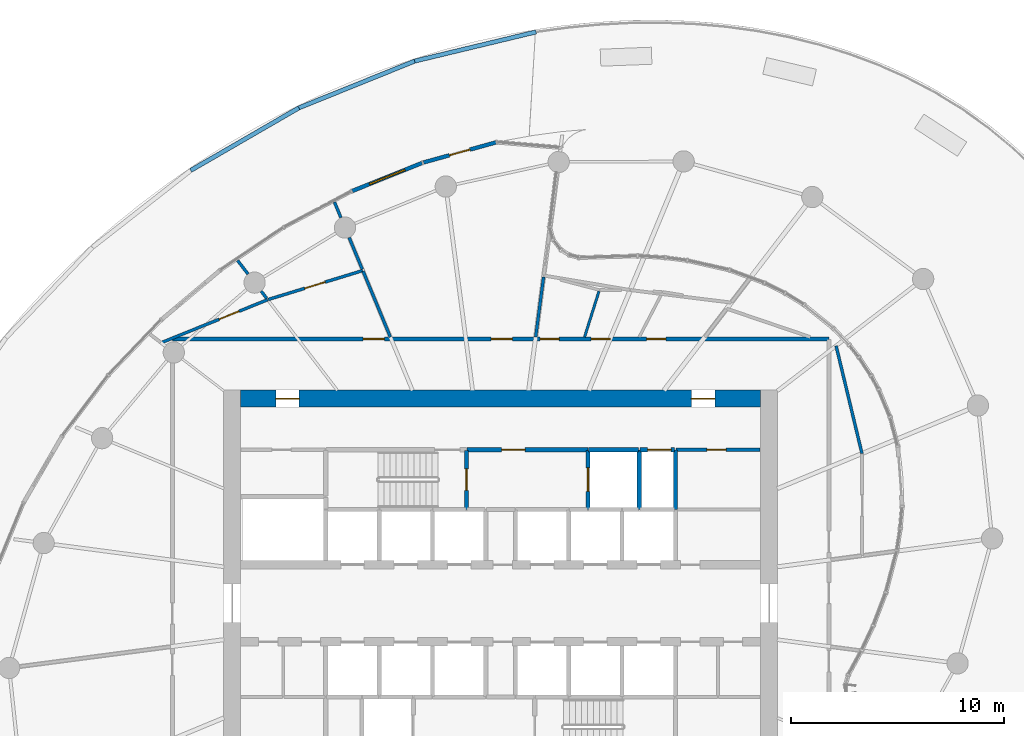
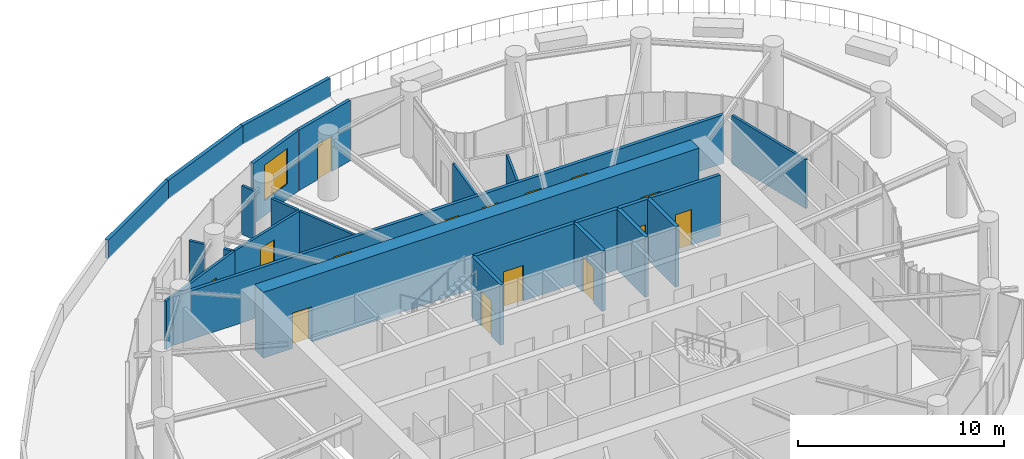
# One storey, part 16 of 21: 25 walls, 15 doors, 1 window, 16 openings.
"""IFC4 building model written with IfcOpenShell, lengths in metres."""

from ifc_helpers import new_model, si_unit, direction, frame, frame_2d, origin, place, context, subcontext, project, spatial, rectangle, extrude, source, transform, mapped, material, layer, layer_set, type_object, element, fill, save


model = new_model("IFC4")

# Units and contexts
model_context = context("Model", 3, precision=1e-05, world=origin(), true_north=direction((0.0, 1.0)))
body_context = subcontext(model_context, "Body", "Model", "MODEL_VIEW")
ifc_project = project(units=[si_unit("LENGTHUNIT", "METRE"), si_unit("AREAUNIT", "SQUARE_METRE"), si_unit("VOLUMEUNIT", "CUBIC_METRE"), si_unit("PLANEANGLEUNIT", "RADIAN"), si_unit("MASSUNIT", "GRAM", prefix="KILO")], contexts=[model_context])

# Site, building, storey
site_placement = place(None, origin())
site = spatial("IfcSite", under=ifc_project, at=site_placement, CompositionType="ELEMENT")
building_placement = place(site_placement, origin())
building = spatial("IfcBuilding", under=site, at=building_placement, Name="Spindrift Exchange Tower", CompositionType="ELEMENT")
storey_placement = place(building_placement, frame((0.0, 0.0, 133.10009765625)))
storey = spatial("IfcBuildingStorey", under=building, at=storey_placement, Name="L31", CompositionType="ELEMENT", Elevation=133.10009765625)

# Walls
ifc_material_1 = material(Name="Concrete 40 MPa", Category="concrete")
ifc_layer_1 = layer(ifc_material_1, 0.199951171875)
ifc_layer_set_1 = layer_set([ifc_layer_1], Name="LEDGE PARAPET 1100")
wall_type_1 = type_object("IfcWallType", Name="LEDGE PARAPET 1100", PredefinedType="PARAPET", material=ifc_layer_set_1)
for number, where, z_axis, x_axis, name in (
    (1, (37.459716796875, 68.30859375, 0.0), (0.0, 0.0, 1.0), (0.865566961428, 0.500793206109, 0.0), "L31 Ledge Parapet 19"),
    (2, (42.5322265625, 71.243408203125, 0.0), (0.0, 0.0, 1.0), (0.927218747026, 0.374520219965, 0.0), "L31 Ledge Parapet 20"),
):
    element("IfcWall", number, at=place(storey_placement, frame(where, z_axis=z_axis, x_axis=x_axis)), inside=storey, type_object=wall_type_1, Name=name, PredefinedType="PARAPET", context=body_context, shape_type="SweptSolid", body=[
        extrude(rectangle(XDim=5.8603515625, YDim=0.199951171875, at=frame_2d((2.93017578125, 0.0))), origin(), (0.0, 0.0, 1.0), 1.099853515625),
    ])
wall_1_placement = place(storey_placement, frame((47.966064453125, 73.438232421875, 0.0), z_axis=(0.0, 0.0, 1.0), x_axis=(0.97229645642, 0.233751151511, 0.0)))
element("IfcWall", 3, at=wall_1_placement, inside=storey, type_object=wall_type_1, Name="L31 Ledge Parapet 21", PredefinedType="PARAPET", context=body_context, shape_type="SweptSolid", body=[
    extrude(rectangle(XDim=5.859375, YDim=0.199951171875, at=frame_2d((2.9296875, 0.0))), origin(), (0.0, 0.0, 1.0), 1.099853515625),
])

# Wall, openings, doors
ifc_material_2 = material(Name="Concrete 65 MPa", Category="concrete")
ifc_layer_2 = layer(ifc_material_2, 0.800048828125)
ifc_layer_set_2 = layer_set([ifc_layer_2], Name="RC Core Wall 800 Concrete 65 MPa")
wall_type_2 = type_object("IfcWallType", Name="RC Core Wall 800 Concrete 65 MPa", PredefinedType="SHEAR", material=ifc_layer_set_2)
wall_2_placement = place(storey_placement, frame((64.199951171875, 57.60009765625, 0.0), z_axis=(0.0, 0.0, 1.0), x_axis=(-1.0, 0.0, 0.0)))
wall_2 = element("IfcWall", 4, at=wall_2_placement, inside=storey, type_object=wall_type_2, Name="Core wall N L31", PredefinedType="SHEAR", context=body_context, shape_type="SweptSolid", body=[
    extrude(rectangle(XDim=24.39990234375, YDim=0.800048828125, at=frame_2d((12.199951171875, 0.0))), origin(), (0.0, 0.0, 1.0), 3.89990234375),
])
opening_1_placement = place(wall_2_placement, frame((21.64990234375, 0.0, 0.0)))
opening_1 = element("IfcOpeningElement", 5, at=opening_1_placement, cuts=wall_2, Name="Opening L31-D25", PredefinedType="OPENING", context=body_context, shape_type="SweptSolid", body=[
    extrude(rectangle(XDim=1.10009765625, YDim=2.10009765625, at=frame_2d((0.550048828125, 1.050048828125))), frame((0.0, 0.409912109375, 0.0), z_axis=(0.0, -1.0, 0.0), x_axis=(1.0, 0.0, 0.0)), (0.0, 0.0, 1.0), 0.820068359375),
])
opening_2_placement = place(wall_2_placement, frame((2.14990234375, 0.0, 0.0)))
opening_2 = element("IfcOpeningElement", 6, at=opening_2_placement, cuts=wall_2, Name="Opening L31-D26", PredefinedType="OPENING", context=body_context, shape_type="SweptSolid", body=[
    extrude(rectangle(XDim=1.10009765625, YDim=2.10009765625, at=frame_2d((0.550048828125, 1.050048828125))), frame((0.0, 0.409912109375, 0.0), z_axis=(0.0, -1.0, 0.0), x_axis=(1.0, 0.0, 0.0)), (0.0, 0.0, 1.0), 0.820068359375),
])
ifc_material_3 = material(Name="Steel fire door", Category="steel")
door_type_1 = type_object("IfcDoorType", Name="DR-STAIR-1100", OperationType="NOTDEFINED", PredefinedType="DOOR", material=ifc_material_3)
shared_shape_1 = source(origin(), body_context, "Body", "SweptSolid", [
    extrude(rectangle(XDim=1.10009765625, YDim=2.10009765625, at=frame_2d((0.550048828125, 1.050048828125))), frame((0.0, 0.02490234375, 0.0), z_axis=(0.0, -1.0, 0.0), x_axis=(1.0, 0.0, 0.0)), (0.0, 0.0, 1.0), 0.050048828125),
])
door_1_placement = place(opening_1_placement, origin())
door_1 = element("IfcDoor", 7, at=door_1_placement, inside=storey, type_object=door_type_1, Name="L31 Stair door 25", OperationType="SINGLE_SWING_RIGHT", OverallHeight=2.10009765625, OverallWidth=1.10009765625, PredefinedType="DOOR", context=body_context, shape_type="MappedRepresentation", body=[
    mapped(shared_shape_1, transform((0.0, 0.0, 0.0), scale=1.0)),
])
fill(opening_1, door_1)
door_2_placement = place(opening_2_placement, origin())
door_2 = element("IfcDoor", 8, at=door_2_placement, inside=storey, type_object=door_type_1, Name="L31 Stair door 26", OperationType="SINGLE_SWING_LEFT", OverallHeight=2.10009765625, OverallWidth=1.10009765625, PredefinedType="DOOR", context=body_context, shape_type="MappedRepresentation", body=[
    mapped(shared_shape_1, transform((0.0, 0.0, 0.0), scale=1.0)),
])
fill(opening_2, door_2)

# Wall, opening, door
ifc_material_4 = material(Name="Bronze anodised aluminium frame with fritted laminated glass spandrel", Category="aluminium")
ifc_layer_3 = layer(ifc_material_4, 0.179931640625)
ifc_layer_set_3 = layer_set([ifc_layer_3], Name="UNITISED FRAME WALL")
wall_type_3 = type_object("IfcWallType", Name="UNITISED FRAME WALL", PredefinedType="STANDARD", material=ifc_layer_set_3)
wall_3_placement = place(storey_placement, frame((51.78125, 69.62451171875, 0.0), z_axis=(0.0, 0.0, 1.0), x_axis=(-0.963586234306, -0.267397773094, 0.0)))
wall_3 = element("IfcWall", 9, at=wall_3_placement, inside=storey, type_object=wall_type_3, Name="L31 Frame Wall 1", PredefinedType="STANDARD", context=body_context, shape_type="SweptSolid", body=[
    extrude(rectangle(XDim=3.53076171875, YDim=0.179931640625, at=frame_2d((1.765380859375, 0.0))), origin(), (0.0, 0.0, 1.0), 3.579833984375),
])
opening_3_placement = place(wall_3_placement, frame((1.265380859375, 0.0, 0.0)))
opening_3 = element("IfcOpeningElement", 10, at=opening_3_placement, cuts=wall_3, Name="Opening ED31-2", PredefinedType="OPENING", context=body_context, shape_type="SweptSolid", body=[
    extrude(rectangle(XDim=1.0, YDim=2.10009765625, at=frame_2d((0.5, 1.050048828125))), frame((0.0, 0.099853515625, 0.0), z_axis=(0.0, -1.0, 0.0), x_axis=(1.0, 0.0, 0.0)), (0.0, 0.0, 1.0), 0.199951171875),
])
ifc_material_5 = material(Name="Galvanised steel door leaf, polyester powder coat", Category="steel")
door_type_2 = type_object("IfcDoorType", Name="MAINTENANCE ACCESS DOOR 1000X2100", OperationType="SINGLE_SWING_LEFT", PredefinedType="DOOR", material=ifc_material_5)
shared_shape_2 = source(origin(), body_context, "Body", "SweptSolid", [
    extrude(rectangle(XDim=1.0, YDim=2.10009765625, at=frame_2d((0.5, 1.050048828125))), frame((0.0, 0.02490234375, 0.0), z_axis=(0.0, -1.0, 0.0), x_axis=(1.0, 0.0, 0.0)), (0.0, 0.0, 1.0), 0.050048828125),
])
door_3_placement = place(opening_3_placement, origin())
door_3 = element("IfcDoor", 11, at=door_3_placement, inside=storey, type_object=door_type_2, Name="L31 Maintenance Access Door ED31-2", OperationType="SINGLE_SWING_LEFT", OverallHeight=2.10009765625, OverallWidth=1.0, PredefinedType="DOOR", context=body_context, shape_type="MappedRepresentation", body=[
    mapped(shared_shape_2, transform((0.0, 0.0, 0.0), scale=1.0)),
])
fill(opening_3, door_3)

# Wall, opening, window
wall_4_placement = place(storey_placement, frame((48.31298828125, 68.657958984375, 0.0), z_axis=(0.0, 0.0, 1.0), x_axis=(-0.927951202172, -0.372701712348, 0.0)))
wall_4 = element("IfcWall", 12, at=wall_4_placement, inside=storey, type_object=wall_type_3, Name="L31 Frame Wall 2", PredefinedType="STANDARD", context=body_context, shape_type="SweptSolid", body=[
    extrude(rectangle(XDim=3.53076171875, YDim=0.179931640625, at=frame_2d((1.765380859375, 0.0))), origin(), (0.0, 0.0, 1.0), 3.579833984375),
])
opening_4_placement = place(wall_4_placement, frame((0.865478515625, 0.0, 0.89990234375)))
opening_4 = element("IfcOpeningElement", 13, at=opening_4_placement, cuts=wall_4, Name="Opening WV31-01", PredefinedType="OPENING", context=body_context, shape_type="SweptSolid", body=[
    extrude(rectangle(XDim=1.800048828125, YDim=2.10009765625, at=frame_2d((0.89990234375, 1.050048828125))), frame((0.0, 0.099853515625, 0.0), z_axis=(0.0, -1.0, 0.0), x_axis=(1.0, 0.0, 0.0)), (0.0, 0.0, 1.0), 0.199951171875),
])
ifc_material_6 = material(Name="Clear laminated low-iron glass in bronze frame", Category="glass")
window_type = type_object("IfcWindowType", Name="OPERABLE CLEAR VENT 1800X2100", PartitioningType="SINGLE_PANEL", PredefinedType="WINDOW", material=ifc_material_6)
shared_shape_3 = source(origin(), body_context, "Body", "SweptSolid", [
    extrude(rectangle(XDim=1.800048828125, YDim=2.10009765625, at=frame_2d((0.89990234375, 1.050048828125))), frame((0.0, 0.030029296875, 0.0), z_axis=(0.0, -1.0, 0.0), x_axis=(1.0, 0.0, 0.0)), (0.0, 0.0, 1.0), 0.06005859375),
])
window_placement = place(opening_4_placement, origin())
window = element("IfcWindow", 14, at=window_placement, inside=storey, type_object=window_type, Name="L31 Operable Vent WV31-01", OverallHeight=2.10009765625, OverallWidth=1.800048828125, PartitioningType="SINGLE_PANEL", PredefinedType="WINDOW", context=body_context, shape_type="MappedRepresentation", body=[
    mapped(shared_shape_3, transform((0.0, 0.0, 0.0), scale=1.0)),
])
fill(opening_4, window)

# Wall, openings, doors
ifc_material_7 = material(Name="Fire-rated plasterboard partition", Category="gypsum")
ifc_layer_4 = layer(ifc_material_7, 0.179931640625)
ifc_layer_set_4 = layer_set([ifc_layer_4], Name="W-CORR-180")
wall_type_4 = type_object("IfcWallType", Name="W-CORR-180", PredefinedType="PARTITIONING", material=ifc_layer_set_4)
wall_5_placement = place(storey_placement, frame((36.60009765625, 60.39990234375, 0.0), z_axis=(0.0, 0.0, 1.0), x_axis=(1.0, 0.0, 0.0)))
wall_5 = element("IfcWall", 15, at=wall_5_placement, inside=storey, type_object=wall_type_4, Name="L31 Partition wall 58", PredefinedType="PARTITIONING", context=body_context, shape_type="SweptSolid", body=[
    extrude(rectangle(XDim=30.7998046875, YDim=0.179931640625, at=frame_2d((15.39990234375, 0.0))), origin(), (0.0, 0.0, 1.0), 2.8798828125),
])
opening_5_placement = place(wall_5_placement, frame((22.25, 0.0, 0.0)))
opening_5 = element("IfcOpeningElement", 16, at=opening_5_placement, cuts=wall_5, Name="Opening L31-D31", PredefinedType="OPENING", context=body_context, shape_type="SweptSolid", body=[
    extrude(rectangle(XDim=0.89990234375, YDim=2.10009765625, at=frame_2d((0.449951171875, 1.050048828125))), frame((0.0, 0.099853515625, 0.0), z_axis=(0.0, -1.0, 0.0), x_axis=(1.0, 0.0, 0.0)), (0.0, 0.0, 1.0), 0.199951171875),
])
opening_6_placement = place(wall_5_placement, frame((19.64990234375, 0.0, 0.0)))
opening_6 = element("IfcOpeningElement", 17, at=opening_6_placement, cuts=wall_5, Name="Opening L31-D32", PredefinedType="OPENING", context=body_context, shape_type="SweptSolid", body=[
    extrude(rectangle(XDim=0.89990234375, YDim=2.10009765625, at=frame_2d((0.449951171875, 1.050048828125))), frame((0.0, 0.099853515625, 0.0), z_axis=(0.0, -1.0, 0.0), x_axis=(1.0, 0.0, 0.0)), (0.0, 0.0, 1.0), 0.199951171875),
])
opening_7_placement = place(wall_5_placement, frame((17.25, 0.0, 0.0)))
opening_7 = element("IfcOpeningElement", 18, at=opening_7_placement, cuts=wall_5, Name="Opening L31-D33", PredefinedType="OPENING", context=body_context, shape_type="SweptSolid", body=[
    extrude(rectangle(XDim=0.89990234375, YDim=2.10009765625, at=frame_2d((0.449951171875, 1.050048828125))), frame((0.0, 0.099853515625, 0.0), z_axis=(0.0, -1.0, 0.0), x_axis=(1.0, 0.0, 0.0)), (0.0, 0.0, 1.0), 0.199951171875),
])
opening_8_placement = place(wall_5_placement, frame((14.949951171875, 0.0, 0.0)))
opening_8 = element("IfcOpeningElement", 19, at=opening_8_placement, cuts=wall_5, Name="Opening L31-D34", PredefinedType="OPENING", context=body_context, shape_type="SweptSolid", body=[
    extrude(rectangle(XDim=1.0, YDim=2.10009765625, at=frame_2d((0.5, 1.050048828125))), frame((0.0, 0.099853515625, 0.0), z_axis=(0.0, -1.0, 0.0), x_axis=(1.0, 0.0, 0.0)), (0.0, 0.0, 1.0), 0.199951171875),
])
opening_9_placement = place(wall_5_placement, frame((8.949951171875, 0.0, 0.0)))
opening_9 = element("IfcOpeningElement", 20, at=opening_9_placement, cuts=wall_5, Name="Opening L31-D36", PredefinedType="OPENING", context=body_context, shape_type="SweptSolid", body=[
    extrude(rectangle(XDim=1.0, YDim=2.10009765625, at=frame_2d((0.5, 1.050048828125))), frame((0.0, 0.099853515625, 0.0), z_axis=(0.0, -1.0, 0.0), x_axis=(1.0, 0.0, 0.0)), (0.0, 0.0, 1.0), 0.199951171875),
])
ifc_material_8 = material(Name="Timber-core fire door", Category="wood")
door_type_3 = type_object("IfcDoorType", Name="DR-ROOM-1000", OperationType="NOTDEFINED", PredefinedType="DOOR", material=ifc_material_8)
shared_shape_4 = source(origin(), body_context, "Body", "SweptSolid", [
    extrude(rectangle(XDim=1.0, YDim=2.10009765625, at=frame_2d((0.5, 1.050048828125))), frame((0.0, 0.02490234375, 0.0), z_axis=(0.0, -1.0, 0.0), x_axis=(1.0, 0.0, 0.0)), (0.0, 0.0, 1.0), 0.050048828125),
])
door_4_placement = place(opening_8_placement, origin())
door_4 = element("IfcDoor", 21, at=door_4_placement, inside=storey, type_object=door_type_3, Name="L31 Door 34", OperationType="SINGLE_SWING_LEFT", OverallHeight=2.10009765625, OverallWidth=1.0, PredefinedType="DOOR", context=body_context, shape_type="MappedRepresentation", body=[
    mapped(shared_shape_4, transform((0.0, 0.0, 0.0), scale=1.0)),
])
fill(opening_8, door_4)
door_5_placement = place(opening_9_placement, origin())
door_5 = element("IfcDoor", 22, at=door_5_placement, inside=storey, type_object=door_type_3, Name="L31 Door 36", OperationType="SINGLE_SWING_LEFT", OverallHeight=2.10009765625, OverallWidth=1.0, PredefinedType="DOOR", context=body_context, shape_type="MappedRepresentation", body=[
    mapped(shared_shape_4, transform((0.0, 0.0, 0.0), scale=1.0)),
])
fill(opening_9, door_5)
ifc_material_9 = material(Name="Laminate washroom door", Category="wood")
door_type_4 = type_object("IfcDoorType", Name="DR-WC-900", OperationType="NOTDEFINED", PredefinedType="DOOR", material=ifc_material_9)
shared_shape_5 = source(origin(), body_context, "Body", "SweptSolid", [
    extrude(rectangle(XDim=0.89990234375, YDim=2.10009765625, at=frame_2d((0.449951171875, 1.050048828125))), frame((0.0, 0.02490234375, 0.0), z_axis=(0.0, -1.0, 0.0), x_axis=(1.0, 0.0, 0.0)), (0.0, 0.0, 1.0), 0.050048828125),
])
door_6_placement = place(opening_5_placement, origin())
door_6 = element("IfcDoor", 23, at=door_6_placement, inside=storey, type_object=door_type_4, Name="L31 WC door 31", OperationType="SINGLE_SWING_RIGHT", OverallHeight=2.10009765625, OverallWidth=0.89990234375, PredefinedType="DOOR", context=body_context, shape_type="MappedRepresentation", body=[
    mapped(shared_shape_5, transform((0.0, 0.0, 0.0), scale=1.0)),
])
fill(opening_5, door_6)
door_7_placement = place(opening_6_placement, origin())
door_7 = element("IfcDoor", 24, at=door_7_placement, inside=storey, type_object=door_type_4, Name="L31 WC door 32", OperationType="SINGLE_SWING_LEFT", OverallHeight=2.10009765625, OverallWidth=0.89990234375, PredefinedType="DOOR", context=body_context, shape_type="MappedRepresentation", body=[
    mapped(shared_shape_5, transform((0.0, 0.0, 0.0), scale=1.0)),
])
fill(opening_6, door_7)
door_8_placement = place(opening_7_placement, origin())
door_8 = element("IfcDoor", 25, at=door_8_placement, inside=storey, type_object=door_type_4, Name="L31 WC door 33", OperationType="SINGLE_SWING_RIGHT", OverallHeight=2.10009765625, OverallWidth=0.89990234375, PredefinedType="DOOR", context=body_context, shape_type="MappedRepresentation", body=[
    mapped(shared_shape_5, transform((0.0, 0.0, 0.0), scale=1.0)),
])
fill(opening_7, door_8)

# Wall, opening, door
wall_6_placement = place(storey_placement, frame((64.179931640625, 55.199951171875, 0.0), z_axis=(0.0, 0.0, 1.0), x_axis=(-1.0, 0.0, 0.0)))
wall_6 = element("IfcWall", 26, at=wall_6_placement, inside=storey, type_object=wall_type_4, Name="L31 Partition wall 62", PredefinedType="PARTITIONING", context=body_context, shape_type="SweptSolid", body=[
    extrude(rectangle(XDim=3.949951171875, YDim=0.179931640625, at=frame_2d((1.97509765625, 0.0))), origin(), (0.0, 0.0, 1.0), 3.579833984375),
])
opening_10_placement = place(wall_6_placement, frame((1.60009765625, 0.0, 0.0)))
opening_10 = element("IfcOpeningElement", 27, at=opening_10_placement, cuts=wall_6, Name="Opening L31-D55", PredefinedType="OPENING", context=body_context, shape_type="SweptSolid", body=[
    extrude(rectangle(XDim=0.89990234375, YDim=2.10009765625, at=frame_2d((0.449951171875, 1.050048828125))), frame((0.0, 0.099853515625, 0.0), z_axis=(0.0, -1.0, 0.0), x_axis=(1.0, 0.0, 0.0)), (0.0, 0.0, 1.0), 0.199951171875),
])
ifc_material_10 = material(Name="Steel access door", Category="steel")
door_type_5 = type_object("IfcDoorType", Name="DR-RISER-900", OperationType="NOTDEFINED", PredefinedType="DOOR", material=ifc_material_10)
shared_shape_6 = source(origin(), body_context, "Body", "SweptSolid", [
    extrude(rectangle(XDim=0.89990234375, YDim=2.10009765625, at=frame_2d((0.449951171875, 1.050048828125))), frame((0.0, 0.02490234375, 0.0), z_axis=(0.0, -1.0, 0.0), x_axis=(1.0, 0.0, 0.0)), (0.0, 0.0, 1.0), 0.050048828125),
])
door_9_placement = place(opening_10_placement, origin())
door_9 = element("IfcDoor", 28, at=door_9_placement, inside=storey, type_object=door_type_5, Name="L31 Riser door 55", OperationType="SINGLE_SWING_RIGHT", OverallHeight=2.10009765625, OverallWidth=0.89990234375, PredefinedType="DOOR", context=body_context, shape_type="MappedRepresentation", body=[
    mapped(shared_shape_6, transform((0.0, 0.0, 0.0), scale=1.0)),
])
fill(opening_10, door_9)

ifc_layer_5 = layer(ifc_material_7, 0.139892578125)
ifc_layer_set_5 = layer_set([ifc_layer_5], Name="W-PART-140")
wall_type_5 = type_object("IfcWallType", Name="W-PART-140", PredefinedType="PARTITIONING", material=ifc_layer_set_5)
wall_7_placement = place(storey_placement, frame((36.0703125, 60.223388671875, 0.0), z_axis=(0.0, 0.0, 1.0), x_axis=(0.927241534836, 0.374463798084, 0.0)))
wall_7 = element("IfcWall", 29, at=wall_7_placement, inside=storey, type_object=wall_type_5, Name="L31 Partition wall 68", PredefinedType="PARTITIONING", context=body_context, shape_type="SweptSolid", body=[
    extrude(rectangle(XDim=5.39306640625, YDim=0.139892578125, at=frame_2d((2.696533203125, 0.0))), origin(), (0.0, 0.0, 1.0), 2.8798828125),
])
opening_11_placement = place(wall_7_placement, frame((2.943115234375, 0.0, 0.0)))
opening_11 = element("IfcOpeningElement", 30, at=opening_11_placement, cuts=wall_7, Name="Opening L31-D38", PredefinedType="OPENING", context=body_context, shape_type="SweptSolid", body=[
    extrude(rectangle(XDim=1.0, YDim=2.10009765625, at=frame_2d((0.5, 1.050048828125))), frame((0.0, 0.079833984375, 0.0), z_axis=(0.0, -1.0, 0.0), x_axis=(1.0, 0.0, 0.0)), (0.0, 0.0, 1.0), 0.159912109375),
])
door_10_placement = place(opening_11_placement, origin())
door_10 = element("IfcDoor", 31, at=door_10_placement, inside=storey, type_object=door_type_3, Name="L31 Door 38", OperationType="SINGLE_SWING_LEFT", OverallHeight=2.10009765625, OverallWidth=1.0, PredefinedType="DOOR", context=body_context, shape_type="MappedRepresentation", body=[
    mapped(shared_shape_4, transform((0.0, 0.0, 0.0), scale=1.0)),
])
fill(opening_11, door_10)

# Wall
wall_8_placement = place(storey_placement, frame((68.955078125, 55.023193359375, 0.0), z_axis=(0.0, 0.0, 1.0), x_axis=(-0.233630483272, 0.97232545852, 0.0)))
element("IfcWall", 32, at=wall_8_placement, inside=storey, type_object=wall_type_5, Name="L31 Partition wall 69", PredefinedType="PARTITIONING", context=body_context, shape_type="SweptSolid", body=[
    extrude(rectangle(XDim=5.19873046875, YDim=0.139892578125, at=frame_2d((2.599365234375, 0.0))), origin(), (0.0, 0.0, 1.0), 2.8798828125),
])

# Wall, opening, door
wall_9_placement = place(storey_placement, frame((41.099609375, 62.251708984375, 0.0), z_axis=(0.0, 0.0, 1.0), x_axis=(0.956147019569, 0.292887140326, 0.0)))
wall_9 = element("IfcWall", 33, at=wall_9_placement, inside=storey, type_object=wall_type_5, Name="L31 Partition wall 74", PredefinedType="PARTITIONING", context=body_context, shape_type="SweptSolid", body=[
    extrude(rectangle(XDim=4.637939453125, YDim=0.139892578125, at=frame_2d((2.31884765625, 0.0))), origin(), (0.0, 0.0, 1.0), 2.8798828125),
])
opening_12_placement = place(wall_9_placement, frame((1.787841796875, 0.0, 0.0)))
opening_12 = element("IfcOpeningElement", 34, at=opening_12_placement, cuts=wall_9, Name="Opening L31-D37", PredefinedType="OPENING", context=body_context, shape_type="SweptSolid", body=[
    extrude(rectangle(XDim=1.0, YDim=2.10009765625, at=frame_2d((0.5, 1.050048828125))), frame((0.0, 0.079833984375, 0.0), z_axis=(0.0, -1.0, 0.0), x_axis=(1.0, 0.0, 0.0)), (0.0, 0.0, 1.0), 0.159912109375),
])
door_11_placement = place(opening_12_placement, origin())
door_11 = element("IfcDoor", 35, at=door_11_placement, inside=storey, type_object=door_type_3, Name="L31 Door 37", OperationType="SINGLE_SWING_RIGHT", OverallHeight=2.10009765625, OverallWidth=1.0, PredefinedType="DOOR", context=body_context, shape_type="MappedRepresentation", body=[
    mapped(shared_shape_4, transform((0.0, 0.0, 0.0), scale=1.0)),
])
fill(opening_12, door_11)

# Walls
wall_10_placement = place(storey_placement, frame((46.826416015625, 60.489990234375, 0.0), z_axis=(0.0, 0.0, 1.0), x_axis=(-0.382693194178, 0.923875488976, 0.0)))
element("IfcWall", 36, at=wall_10_placement, inside=storey, type_object=wall_type_5, Name="L31 Partition wall 84", PredefinedType="PARTITIONING", context=body_context, shape_type="SweptSolid", body=[
    extrude(rectangle(XDim=3.347412109375, YDim=0.139892578125, at=frame_2d((1.673828125, 0.0))), origin(), (0.0, 0.0, 1.0), 2.8798828125),
])
wall_11_placement = place(storey_placement, frame((53.644287109375, 60.489990234375, 0.0), z_axis=(0.0, 0.0, 1.0), x_axis=(0.13053676263, 0.991443469696, 0.0)))
element("IfcWall", 37, at=wall_11_placement, inside=storey, type_object=wall_type_5, Name="L31 Partition wall 86", PredefinedType="PARTITIONING", context=body_context, shape_type="SweptSolid", body=[
    extrude(rectangle(XDim=2.841064453125, YDim=0.139892578125, at=frame_2d((1.42041015625, 0.0))), origin(), (0.0, 0.0, 1.0), 2.8798828125),
])
wall_12_placement = place(storey_placement, frame((45.507080078125, 63.675048828125, 0.0), z_axis=(0.0, 0.0, 1.0), x_axis=(-0.382682881608, 0.923879760642, 0.0)))
element("IfcWall", 38, at=wall_12_placement, inside=storey, type_object=wall_type_5, Name="L31 Partition wall 97", PredefinedType="PARTITIONING", context=body_context, shape_type="SweptSolid", body=[
    extrude(rectangle(XDim=1.6064453125, YDim=0.139892578125, at=frame_2d((0.80322265625, 0.0))), origin(), (0.0, 0.0, 1.0), 2.8798828125),
])
wall_13_placement = place(storey_placement, frame((40.14892578125, 63.444580078125, 0.0), z_axis=(0.0, 0.0, 1.0), x_axis=(-0.60880552559, 0.793319501847, 0.0)))
element("IfcWall", 39, at=wall_13_placement, inside=storey, type_object=wall_type_5, Name="L31 Partition wall 107", PredefinedType="PARTITIONING", context=body_context, shape_type="SweptSolid", body=[
    extrude(rectangle(XDim=0.808349609375, YDim=0.139892578125, at=frame_2d((0.404296875, 0.0))), origin(), (0.0, 0.0, 1.0), 2.8798828125),
])
wall_14_placement = place(storey_placement, frame((44.505859375, 66.09228515625, 0.0), z_axis=(0.0, 0.0, 1.0), x_axis=(-0.38263454961, 0.923899778896, 0.0)))
element("IfcWall", 40, at=wall_14_placement, inside=storey, type_object=wall_type_5, Name="L31 Partition wall 110", PredefinedType="PARTITIONING", context=body_context, shape_type="SweptSolid", body=[
    extrude(rectangle(XDim=0.7880859375, YDim=0.139892578125, at=frame_2d((0.39404296875, 0.0))), origin(), (0.0, 0.0, 1.0), 2.8798828125),
])
wall_15_placement = place(storey_placement, frame((41.02685546875, 62.300537109375, 0.0), z_axis=(0.0, 0.0, 1.0), x_axis=(-0.608620818261, 0.793461214918, 0.0)))
element("IfcWall", 41, at=wall_15_placement, inside=storey, type_object=wall_type_5, Name="L31 Partition wall 113", PredefinedType="PARTITIONING", context=body_context, shape_type="SweptSolid", body=[
    extrude(rectangle(XDim=0.433349609375, YDim=0.139892578125, at=frame_2d((0.216796875, 0.0))), origin(), (0.0, 0.0, 1.0), 2.8798828125),
])

# Wall, opening, door
ifc_layer_6 = layer(ifc_material_1, 0.199951171875)
ifc_layer_set_6 = layer_set([ifc_layer_6], Name="W-SHAFT-200")
wall_type_6 = type_object("IfcWallType", Name="W-SHAFT-200", PredefinedType="SOLIDWALL", material=ifc_layer_set_6)
wall_16_placement = place(storey_placement, frame((56.10009765625, 55.169921875, 0.0), z_axis=(0.0, 0.0, 1.0), x_axis=(0.0, -1.0, 0.0)))
wall_16 = element("IfcWall", 42, at=wall_16_placement, inside=storey, type_object=wall_type_6, Name="L31 Shaft wall 12", PredefinedType="SOLIDWALL", context=body_context, shape_type="SweptSolid", body=[
    extrude(rectangle(XDim=2.77001953125, YDim=0.199951171875, at=frame_2d((1.385009765625, 0.0))), origin(), (0.0, 0.0, 1.0), 3.579833984375),
])
opening_13_placement = place(wall_16_placement, frame((0.820068359375, 0.0, 0.0)))
opening_13 = element("IfcOpeningElement", 43, at=opening_13_placement, cuts=wall_16, Name="Opening L31-D15", PredefinedType="OPENING", context=body_context, shape_type="SweptSolid", body=[
    extrude(rectangle(XDim=1.10009765625, YDim=2.10009765625, at=frame_2d((0.550048828125, 1.050048828125))), frame((0.0, 0.10986328125, 0.0), z_axis=(0.0, -1.0, 0.0), x_axis=(1.0, 0.0, 0.0)), (0.0, 0.0, 1.0), 0.219970703125),
])
ifc_material_11 = material(Name="Stainless steel landing door", Category="steel")
door_type_6 = type_object("IfcDoorType", Name="DR-LANDING-1100-SL", OperationType="DOUBLE_DOOR_SLIDING", PredefinedType="USERDEFINED", material=ifc_material_11)
shared_shape_7 = source(origin(), body_context, "Body", "SweptSolid", [
    extrude(rectangle(XDim=1.10009765625, YDim=2.10009765625, at=frame_2d((0.550048828125, 1.050048828125))), frame((0.0, 0.02490234375, 0.0), z_axis=(0.0, -1.0, 0.0), x_axis=(1.0, 0.0, 0.0)), (0.0, 0.0, 1.0), 0.050048828125),
])
door_12_placement = place(opening_13_placement, origin())
door_12 = element("IfcDoor", 44, at=door_12_placement, inside=storey, type_object=door_type_6, Name="L31 Lift landing door 15", ObjectType="LANDING DOOR", OperationType="DOUBLE_DOOR_SLIDING", OverallHeight=2.10009765625, OverallWidth=1.10009765625, PredefinedType="USERDEFINED", context=body_context, shape_type="MappedRepresentation", body=[
    mapped(shared_shape_7, transform((0.0, 0.0, 0.0), scale=1.0)),
])
fill(opening_13, door_12)

# Walls
for number, where, z_axis, x_axis, name in (
    (45, (58.5, 52.39990234375, 0.0), (0.0, 0.0, 1.0), (0.0, 1.0, 0.0), "L31 Shaft wall 13"),
    (46, (60.199951171875, 52.39990234375, 0.0), (0.0, 0.0, 1.0), (0.0, 1.0, 0.0), "L31 Shaft wall 14"),
):
    element("IfcWall", number, at=place(storey_placement, frame(where, z_axis=z_axis, x_axis=x_axis)), inside=storey, type_object=wall_type_6, Name=name, PredefinedType="SOLIDWALL", context=body_context, shape_type="SweptSolid", body=[
        extrude(rectangle(XDim=2.800048828125, YDim=0.199951171875, at=frame_2d((1.39990234375, 0.0))), origin(), (0.0, 0.0, 1.0), 3.579833984375),
    ])
wall_17_placement = place(storey_placement, frame((58.469970703125, 55.199951171875, 0.0), z_axis=(0.0, 0.0, 1.0), x_axis=(-1.0, 0.0, 0.0)))
element("IfcWall", 47, at=wall_17_placement, inside=storey, type_object=wall_type_6, Name="L31 Shaft wall 22", PredefinedType="SOLIDWALL", context=body_context, shape_type="SweptSolid", body=[
    extrude(rectangle(XDim=2.340087890625, YDim=0.199951171875, at=frame_2d((1.169921875, 0.0))), origin(), (0.0, 0.0, 1.0), 3.579833984375),
])

# Wall, opening, door
wall_18_placement = place(storey_placement, frame((60.169921875, 55.199951171875, 0.0), z_axis=(0.0, 0.0, 1.0), x_axis=(-1.0, 0.0, 0.0)))
wall_18 = element("IfcWall", 48, at=wall_18_placement, inside=storey, type_object=wall_type_6, Name="L31 Shaft wall 43", PredefinedType="SOLIDWALL", context=body_context, shape_type="SweptSolid", body=[
    extrude(rectangle(XDim=1.639892578125, YDim=0.199951171875, at=frame_2d((0.81982421875, 0.0))), origin(), (0.0, 0.0, 1.0), 3.579833984375),
])
opening_14_placement = place(wall_18_placement, frame((0.169921875, 0.0, 0.0)))
opening_14 = element("IfcOpeningElement", 49, at=opening_14_placement, cuts=wall_18, Name="Opening L31-D17", PredefinedType="OPENING", context=body_context, shape_type="SweptSolid", body=[
    extrude(rectangle(XDim=1.10009765625, YDim=2.10009765625, at=frame_2d((0.550048828125, 1.050048828125))), frame((0.0, 0.10986328125, 0.0), z_axis=(0.0, -1.0, 0.0), x_axis=(1.0, 0.0, 0.0)), (0.0, 0.0, 1.0), 0.219970703125),
])
door_13_placement = place(opening_14_placement, origin())
door_13 = element("IfcDoor", 50, at=door_13_placement, inside=storey, type_object=door_type_6, Name="L31 Lift landing door 17", ObjectType="LANDING DOOR", OperationType="DOUBLE_DOOR_SLIDING", OverallHeight=2.10009765625, OverallWidth=1.10009765625, PredefinedType="USERDEFINED", context=body_context, shape_type="MappedRepresentation", body=[
    mapped(shared_shape_7, transform((0.0, 0.0, 0.0), scale=1.0)),
])
fill(opening_14, door_13)

ifc_layer_7 = layer(ifc_material_1, 0.199951171875)
ifc_layer_set_7 = layer_set([ifc_layer_7], Name="W-SHAFT-200-LB")
wall_type_7 = type_object("IfcWallType", Name="W-SHAFT-200-LB", PredefinedType="SOLIDWALL", material=ifc_layer_set_7)
wall_19_placement = place(storey_placement, frame((56.10009765625, 55.199951171875, 0.0), z_axis=(0.0, 0.0, 1.0), x_axis=(-1.0, 0.0, 0.0)))
wall_19 = element("IfcWall", 51, at=wall_19_placement, inside=storey, type_object=wall_type_7, Name="L31 Shaft wall 4", PredefinedType="SOLIDWALL", context=body_context, shape_type="SweptSolid", body=[
    extrude(rectangle(XDim=5.670166015625, YDim=0.199951171875, at=frame_2d((2.8349609375, 0.0))), origin(), (0.0, 0.0, 1.0), 3.579833984375),
])
opening_15_placement = place(wall_19_placement, frame((2.949951171875, 0.0, 0.0)))
opening_15 = element("IfcOpeningElement", 52, at=opening_15_placement, cuts=wall_19, Name="Opening L31-D20", PredefinedType="OPENING", context=body_context, shape_type="SweptSolid", body=[
    extrude(rectangle(XDim=1.10009765625, YDim=2.10009765625, at=frame_2d((0.550048828125, 1.050048828125))), frame((0.0, 0.10986328125, 0.0), z_axis=(0.0, -1.0, 0.0), x_axis=(1.0, 0.0, 0.0)), (0.0, 0.0, 1.0), 0.219970703125),
])
door_type_7 = type_object("IfcDoorType", Name="DR-LOBBY-1100", OperationType="NOTDEFINED", PredefinedType="DOOR", material=ifc_material_8)
shared_shape_8 = source(origin(), body_context, "Body", "SweptSolid", [
    extrude(rectangle(XDim=1.10009765625, YDim=2.10009765625, at=frame_2d((0.550048828125, 1.050048828125))), frame((0.0, 0.02490234375, 0.0), z_axis=(0.0, -1.0, 0.0), x_axis=(1.0, 0.0, 0.0)), (0.0, 0.0, 1.0), 0.050048828125),
])
door_14_placement = place(opening_15_placement, origin())
door_14 = element("IfcDoor", 53, at=door_14_placement, inside=storey, type_object=door_type_7, Name="L31 Lobby door 20", OperationType="SINGLE_SWING_LEFT", OverallHeight=2.10009765625, OverallWidth=1.10009765625, PredefinedType="DOOR", context=body_context, shape_type="MappedRepresentation", body=[
    mapped(shared_shape_8, transform((0.0, 0.0, 0.0), scale=1.0)),
])
fill(opening_15, door_14)

wall_20_placement = place(storey_placement, frame((50.39990234375, 52.39990234375, 0.0), z_axis=(0.0, 0.0, 1.0), x_axis=(0.0, 1.0, 0.0)))
wall_20 = element("IfcWall", 54, at=wall_20_placement, inside=storey, type_object=wall_type_7, Name="L31 Shaft wall 9", PredefinedType="SOLIDWALL", context=body_context, shape_type="SweptSolid", body=[
    extrude(rectangle(XDim=2.77001953125, YDim=0.199951171875, at=frame_2d((1.385009765625, 0.0))), origin(), (0.0, 0.0, 1.0), 3.579833984375),
])
opening_16_placement = place(wall_20_placement, frame((0.89990234375, 0.0, 0.0)))
opening_16 = element("IfcOpeningElement", 55, at=opening_16_placement, cuts=wall_20, Name="Opening L31-D19", PredefinedType="OPENING", context=body_context, shape_type="SweptSolid", body=[
    extrude(rectangle(XDim=1.0, YDim=2.10009765625, at=frame_2d((0.5, 1.050048828125))), frame((0.0, 0.10986328125, 0.0), z_axis=(0.0, -1.0, 0.0), x_axis=(1.0, 0.0, 0.0)), (0.0, 0.0, 1.0), 0.219970703125),
])
door_type_8 = type_object("IfcDoorType", Name="DR-STAIR-1000", OperationType="NOTDEFINED", PredefinedType="DOOR", material=ifc_material_3)
shared_shape_9 = source(origin(), body_context, "Body", "SweptSolid", [
    extrude(rectangle(XDim=1.0, YDim=2.10009765625, at=frame_2d((0.5, 1.050048828125))), frame((0.0, 0.02490234375, 0.0), z_axis=(0.0, -1.0, 0.0), x_axis=(1.0, 0.0, 0.0)), (0.0, 0.0, 1.0), 0.050048828125),
])
door_15_placement = place(opening_16_placement, origin())
door_15 = element("IfcDoor", 56, at=door_15_placement, inside=storey, type_object=door_type_8, Name="L31 Stair door 19", OperationType="SINGLE_SWING_RIGHT", OverallHeight=2.10009765625, OverallWidth=1.0, PredefinedType="DOOR", context=body_context, shape_type="MappedRepresentation", body=[
    mapped(shared_shape_9, transform((0.0, 0.0, 0.0), scale=1.0)),
])
fill(opening_16, door_15)

# Wall
ifc_layer_8 = layer(ifc_material_7, 0.1201171875)
ifc_layer_set_8 = layer_set([ifc_layer_8], Name="W-WET-120")
wall_type_8 = type_object("IfcWallType", Name="W-WET-120", PredefinedType="PARTITIONING", material=ifc_layer_set_8)
wall_21_placement = place(storey_placement, frame((55.93798828125, 60.489990234375, 0.0), z_axis=(0.0, 0.0, 1.0), x_axis=(0.300716585055, 0.95371355001, 0.0)))
element("IfcWall", 57, at=wall_21_placement, inside=storey, type_object=wall_type_8, Name="L31 Partition wall 116", PredefinedType="PARTITIONING", context=body_context, shape_type="SweptSolid", body=[
    extrude(rectangle(XDim=2.253662109375, YDim=0.1201171875, at=frame_2d((1.126953125, 0.0))), origin(), (0.0, 0.0, 1.0), 2.8798828125),
])

save(model, "model.ifc")
